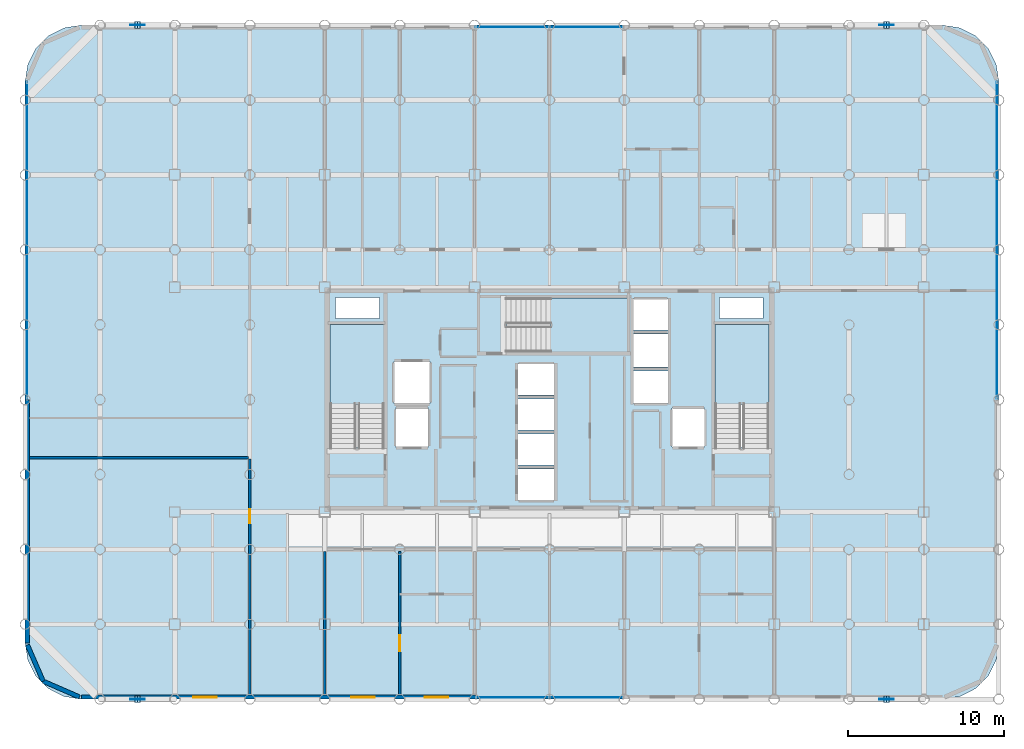
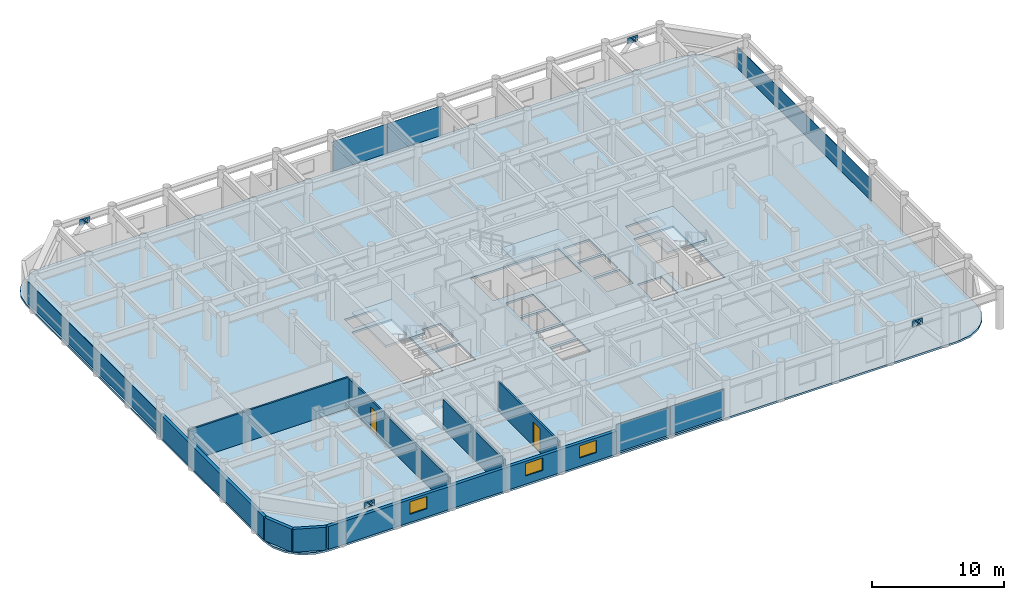
# One storey, part 15 of 21: 18 plates, 8 walls, 4 slabs, 3 windows, 2 doors, 5 openings, 7 elements without a shape of their own.
"""IFC4 building model written with IfcOpenShell, lengths in metres."""

from ifc_helpers import new_model, si_unit, direction, frame, frame_2d, origin, origin_2d, place, context, subcontext, project, spatial, polyline, rectangle, outline, extrude, material, layer, layer_set, type_object, element, fill, aggregate, save


model = new_model("IFC4")

# Units and contexts
model_context = context("Model", 3, precision=1e-05, world=origin(), true_north=direction((0.0, 1.0)))
body_context = subcontext(model_context, "Body", "Model", "MODEL_VIEW")
ifc_project = project(units=[si_unit("LENGTHUNIT", "METRE"), si_unit("AREAUNIT", "SQUARE_METRE"), si_unit("VOLUMEUNIT", "CUBIC_METRE"), si_unit("PLANEANGLEUNIT", "RADIAN"), si_unit("MASSUNIT", "GRAM", prefix="KILO")], contexts=[model_context])

# Site, building, storey
site_placement = place(None, origin())
site = spatial("IfcSite", under=ifc_project, at=site_placement, CompositionType="ELEMENT")
building_placement = place(site_placement, origin())
building = spatial("IfcBuilding", under=site, at=building_placement, Name="Kallvorn Hotel Tower", CompositionType="ELEMENT")
storey_placement = place(building_placement, frame((0.0, 0.0, 139.60009765625)))
storey = spatial("IfcBuildingStorey", under=building, at=storey_placement, Name="L34", CompositionType="ELEMENT", Elevation=139.60009765625)

# Curtain wall, plates
ifc_material_1 = material(Name="Thermally broken black-anodised aluminium AA 6063-T6", Category="aluminium")
ifc_layer_1 = layer(ifc_material_1, 0.2099609375)
ifc_layer_set_1 = layer_set([ifc_layer_1], Name="CW_SYS_4_HOTEL_MID")
curtain_wall_type = type_object("IfcCurtainWallType", Name="CW_SYS_4_HOTEL_MID", PredefinedType="USERDEFINED", material=ifc_layer_set_1)
curtain_wall_1_placement = place(storey_placement, origin())
curtain_wall_1 = element("IfcCurtainWall", 1, at=curtain_wall_1_placement, inside=storey, type_object=curtain_wall_type, Name="L34 Dark-Glass Curtain Wall CW-L34-SC", ObjectType="UNITISED CURTAIN WALL", PredefinedType="USERDEFINED")
ifc_material_2 = material(Name="Double-glazed low-e solar-control dark glass", Category="glass")
ifc_layer_2 = layer(ifc_material_2, 0.037841796875)
ifc_layer_set_2 = layer_set([ifc_layer_2], Name="CW_SYS_4_HOTEL_MID_PANEL")
plate_type_1 = type_object("IfcPlateType", Name="CW_SYS_4_HOTEL_MID_PANEL", PredefinedType="CURTAIN_PANEL", material=ifc_layer_set_2)
plate_1_placement = place(storey_placement, frame((-2.375, -19.080078125, 0.059814453125), z_axis=(0.0, 0.0, 1.0), x_axis=(1.0, 0.0, 0.0)))
plate_1 = element("IfcPlate", 2, at=plate_1_placement, type_object=plate_type_1, Name="CW-L34-SC Vision Glass Panel 00", PredefinedType="CURTAIN_PANEL", context=body_context, shape_type="SweptSolid", body=[
    extrude(rectangle(XDim=4.68994140625, YDim=0.037841796875, at=origin_2d()), origin(), (0.0, 0.0, 1.0), 2.60009765625),
])
plate_2_placement = place(storey_placement, frame((2.375, -19.080078125, 0.059814453125), z_axis=(0.0, 0.0, 1.0), x_axis=(1.0, 0.0, 0.0)))
plate_2 = element("IfcPlate", 3, at=plate_2_placement, type_object=plate_type_1, Name="CW-L34-SC Vision Glass Panel 01", PredefinedType="CURTAIN_PANEL", context=body_context, shape_type="SweptSolid", body=[
    extrude(rectangle(XDim=4.68994140625, YDim=0.037841796875, at=origin_2d()), origin(), (0.0, 0.0, 1.0), 2.60009765625),
])
aggregate(curtain_wall_1, [plate_1, plate_2])

curtain_wall_2_placement = place(storey_placement, origin())
curtain_wall_2 = element("IfcCurtainWall", 4, at=curtain_wall_2_placement, inside=storey, type_object=curtain_wall_type, Name="L34 Dark-Glass Curtain Wall CW-L34-NC", ObjectType="UNITISED CURTAIN WALL", PredefinedType="USERDEFINED")
plate_3_placement = place(storey_placement, frame((-2.375, 23.8798828125, 0.059814453125), z_axis=(0.0, 0.0, 1.0), x_axis=(1.0, 0.0, 0.0)))
plate_3 = element("IfcPlate", 5, at=plate_3_placement, type_object=plate_type_1, Name="CW-L34-NC Vision Glass Panel 00", PredefinedType="CURTAIN_PANEL", context=body_context, shape_type="SweptSolid", body=[
    extrude(rectangle(XDim=4.68994140625, YDim=0.037841796875, at=origin_2d()), origin(), (0.0, 0.0, 1.0), 2.75),
])
plate_4_placement = place(storey_placement, frame((2.375, 23.8798828125, 0.059814453125), z_axis=(0.0, 0.0, 1.0), x_axis=(1.0, 0.0, 0.0)))
plate_4 = element("IfcPlate", 6, at=plate_4_placement, type_object=plate_type_1, Name="CW-L34-NC Vision Glass Panel 01", PredefinedType="CURTAIN_PANEL", context=body_context, shape_type="SweptSolid", body=[
    extrude(rectangle(XDim=4.68994140625, YDim=0.037841796875, at=origin_2d()), origin(), (0.0, 0.0, 1.0), 2.75),
])
aggregate(curtain_wall_2, [plate_3, plate_4])

# Curtain wall, plate
curtain_wall_3_placement = place(storey_placement, origin())
curtain_wall_3 = element("IfcCurtainWall", 7, at=curtain_wall_3_placement, inside=storey, type_object=curtain_wall_type, Name="L34 Dark-Glass Curtain Wall CW-L34-WN", ObjectType="UNITISED CURTAIN WALL", PredefinedType="USERDEFINED")
plate_5_placement = place(storey_placement, frame((-33.47998046875, 10.2099609375, 0.059814453125), z_axis=(0.0, 0.0, 1.0), x_axis=(0.0, 1.0, 0.0)))
plate_5 = element("IfcPlate", 8, at=plate_5_placement, type_object=plate_type_1, Name="CW-L34-WN Vision Glass Panel 00", PredefinedType="CURTAIN_PANEL", context=body_context, shape_type="SweptSolid", body=[
    extrude(rectangle(XDim=20.320068359375, YDim=0.037841796875, at=origin_2d()), origin(), (0.0, 0.0, 1.0), 2.0),
])
aggregate(curtain_wall_3, [plate_5])

curtain_wall_4_placement = place(storey_placement, origin())
curtain_wall_4 = element("IfcCurtainWall", 9, at=curtain_wall_4_placement, inside=storey, type_object=curtain_wall_type, Name="L34 Dark-Glass Curtain Wall CW-L34-EN", ObjectType="UNITISED CURTAIN WALL", PredefinedType="USERDEFINED")
plate_6_placement = place(storey_placement, frame((28.679931640625, 10.2099609375, 0.059814453125), z_axis=(0.0, 0.0, 1.0), x_axis=(0.0, 1.0, 0.0)))
plate_6 = element("IfcPlate", 10, at=plate_6_placement, type_object=plate_type_1, Name="CW-L34-EN Vision Glass Panel 00", PredefinedType="CURTAIN_PANEL", context=body_context, shape_type="SweptSolid", body=[
    extrude(rectangle(XDim=20.320068359375, YDim=0.037841796875, at=origin_2d()), origin(), (0.0, 0.0, 1.0), 2.0),
])
aggregate(curtain_wall_4, [plate_6])

# Plates
ifc_material_3 = material(Name="Structural steel S355JR", Category="steel")
ifc_layer_3 = layer(ifc_material_3, 0.030029296875)
ifc_layer_set_3 = layer_set([ifc_layer_3], Name="PLT_CAP_30")
plate_type_2 = type_object("IfcPlateType", Name="PLT_CAP_30", PredefinedType="SHEET", material=ifc_layer_set_3)
plate_7_placement = place(storey_placement, frame((-26.227294921875, -19.417724609375, 2.876708984375), z_axis=(0.646720691081, 0.0, 0.762726915565), x_axis=(0.0, 1.0, 0.0)))
element("IfcPlate", 11, at=plate_7_placement, inside=storey, type_object=plate_type_2, Name="EXO-L34-S1A End Cap Plate B", PredefinedType="SHEET", context=body_context, shape_type="SweptSolid", body=[
    extrude(outline(polyline([(0.0, 0.0), (0.435546875, 0.0), (0.435546875, 0.4356413597636253), (0.0, 0.4356413597636253), (0.0, 0.0)])), origin(), (0.0, 0.0, -1.0), 0.030029296875),
])
plate_8_placement = place(storey_placement, frame((-26.572509765625, -18.982177734375, 2.876708984375), z_axis=(-0.646997204148, 0.0, 0.762492372306), x_axis=(0.0, -1.0, 0.0)))
element("IfcPlate", 12, at=plate_8_placement, inside=storey, type_object=plate_type_2, Name="EXO-L34-S1B End Cap Plate B", PredefinedType="SHEET", context=body_context, shape_type="SweptSolid", body=[
    extrude(outline(polyline([(0.0, 0.0), (0.435546875, 0.0), (0.435546875, 0.43545517576240456), (0.0, 0.43545517576240456), (0.0, 0.0)])), origin(), (0.0, 0.0, -1.0), 0.030029296875),
])
plate_9_placement = place(storey_placement, frame((21.772705078125, -19.417724609375, 2.876708984375), z_axis=(0.646720691081, 0.0, 0.762726915565), x_axis=(0.0, 1.0, 0.0)))
element("IfcPlate", 13, at=plate_9_placement, inside=storey, type_object=plate_type_2, Name="EXO-L34-S2A End Cap Plate B", PredefinedType="SHEET", context=body_context, shape_type="SweptSolid", body=[
    extrude(outline(polyline([(0.0, 0.0), (0.435546875, 0.0), (0.435546875, 0.4356413597636253), (0.0, 0.4356413597636253), (0.0, 0.0)])), origin(), (0.0, 0.0, -1.0), 0.030029296875),
])
plate_10_placement = place(storey_placement, frame((21.427490234375, -18.982177734375, 2.876708984375), z_axis=(-0.646997204148, 0.0, 0.762492372306), x_axis=(0.0, -1.0, 0.0)))
element("IfcPlate", 14, at=plate_10_placement, inside=storey, type_object=plate_type_2, Name="EXO-L34-S2B End Cap Plate B", PredefinedType="SHEET", context=body_context, shape_type="SweptSolid", body=[
    extrude(outline(polyline([(0.0, 0.0), (0.435546875, 0.0), (0.435546875, 0.43545517576240456), (0.0, 0.43545517576240456), (0.0, 0.0)])), origin(), (0.0, 0.0, -1.0), 0.030029296875),
])
plate_11_placement = place(storey_placement, frame((-26.227294921875, 23.7822265625, 2.876708984375), z_axis=(0.646720691081, 0.0, 0.762726915565), x_axis=(0.0, 1.0, 0.0)))
element("IfcPlate", 15, at=plate_11_placement, inside=storey, type_object=plate_type_2, Name="EXO-L34-N1A End Cap Plate B", PredefinedType="SHEET", context=body_context, shape_type="SweptSolid", body=[
    extrude(outline(polyline([(0.0, 0.0), (0.435546875, 0.0), (0.435546875, 0.4356413597636253), (0.0, 0.4356413597636253), (0.0, 0.0)])), origin(), (0.0, 0.0, -1.0), 0.030029296875),
])
plate_12_placement = place(storey_placement, frame((-26.572509765625, 24.2177734375, 2.876708984375), z_axis=(-0.646997204148, 0.0, 0.762492372306), x_axis=(0.0, -1.0, 0.0)))
element("IfcPlate", 16, at=plate_12_placement, inside=storey, type_object=plate_type_2, Name="EXO-L34-N1B End Cap Plate B", PredefinedType="SHEET", context=body_context, shape_type="SweptSolid", body=[
    extrude(outline(polyline([(0.0, 0.0), (0.435546875, 0.0), (0.435546875, 0.43545517576240456), (0.0, 0.43545517576240456), (0.0, 0.0)])), origin(), (0.0, 0.0, -1.0), 0.030029296875),
])
plate_13_placement = place(storey_placement, frame((21.772705078125, 23.7822265625, 2.876708984375), z_axis=(0.646720691081, 0.0, 0.762726915565), x_axis=(0.0, 1.0, 0.0)))
element("IfcPlate", 17, at=plate_13_placement, inside=storey, type_object=plate_type_2, Name="EXO-L34-N2A End Cap Plate B", PredefinedType="SHEET", context=body_context, shape_type="SweptSolid", body=[
    extrude(outline(polyline([(0.0, 0.0), (0.435546875, 0.0), (0.435546875, 0.4356413597636253), (0.0, 0.4356413597636253), (0.0, 0.0)])), origin(), (0.0, 0.0, -1.0), 0.030029296875),
])
plate_14_placement = place(storey_placement, frame((21.427490234375, 24.2177734375, 2.876708984375), z_axis=(-0.646997204148, 0.0, 0.762492372306), x_axis=(0.0, -1.0, 0.0)))
element("IfcPlate", 18, at=plate_14_placement, inside=storey, type_object=plate_type_2, Name="EXO-L34-N2B End Cap Plate B", PredefinedType="SHEET", context=body_context, shape_type="SweptSolid", body=[
    extrude(outline(polyline([(0.0, 0.0), (0.435546875, 0.0), (0.435546875, 0.43545517576240456), (0.0, 0.43545517576240456), (0.0, 0.0)])), origin(), (0.0, 0.0, -1.0), 0.030029296875),
])
ifc_material_4 = material(Name="Structural steel S355JR", Category="steel")
ifc_layer_4 = layer(ifc_material_4, 0.044921875)
ifc_layer_set_4 = layer_set([ifc_layer_4], Name="PLT_GUSSET_45")
plate_type_3 = type_object("IfcPlateType", Name="PLT_GUSSET_45", PredefinedType="USERDEFINED", material=ifc_layer_set_4)
for number, where, z_axis, x_axis, name in (
    (19, (-26.39990234375, -19.199951171875, 2.68994140625), (0.0, 0.0, 1.0), (1.0, 0.0, 0.0), "L34 Exoskeleton Node Gusset S1"),
    (20, (21.60009765625, -19.199951171875, 2.68994140625), (0.0, 0.0, 1.0), (1.0, 0.0, 0.0), "L34 Exoskeleton Node Gusset S2"),
    (21, (-26.39990234375, 24.0, 2.68994140625), (0.0, 0.0, 1.0), (1.0, 0.0, 0.0), "L34 Exoskeleton Node Gusset N1"),
    (22, (21.60009765625, 24.0, 2.68994140625), (0.0, 0.0, 1.0), (1.0, 0.0, 0.0), "L34 Exoskeleton Node Gusset N2"),
):
    element("IfcPlate", number, at=place(storey_placement, frame(where, z_axis=z_axis, x_axis=x_axis)), inside=storey, type_object=plate_type_3, Name=name, ObjectType="GUSSET PLATE", PredefinedType="USERDEFINED", context=body_context, shape_type="SweptSolid", body=[
        extrude(rectangle(XDim=0.89990234375, YDim=0.044921875, at=origin_2d()), origin(), (0.0, 0.0, 1.0), 0.56005859375),
    ])

# Stair, slab
ifc_material_5 = material(Name="Precast concrete C40/50", Category="concrete")
stair_type = type_object("IfcStairType", Name="STR_CORE_DOGLEG", PredefinedType="HALF_TURN_STAIR", material=ifc_material_5)
stair_1_placement = place(storey_placement, origin())
stair_1 = element("IfcStair", 23, at=stair_1_placement, inside=storey, type_object=stair_type, Name="L34 Exit stair ST1", PredefinedType="HALF_TURN_STAIR")
ifc_material_6 = material(Name="Precast concrete C40/50", Category="concrete")
ifc_layer_5 = layer(ifc_material_6, 0.179931640625)
ifc_layer_set_5 = layer_set([ifc_layer_5], Name="SLB_LANDING_180")
slab_type_1 = type_object("IfcSlabType", Name="SLB_LANDING_180", PredefinedType="LANDING", material=ifc_layer_set_5)
slab_1_placement = place(storey_placement, frame((0.0, 0.0, 1.64990234375)))
slab_1 = element("IfcSlab", 24, at=slab_1_placement, type_object=slab_type_1, Name="ST1 landing 1", PredefinedType="LANDING", context=body_context, shape_type="SweptSolid", body=[
    extrude(outline(polyline([(-10.60009765625, -0.31005859375), (-10.60009765625, 4.800048828125), (-14.06005859375, 4.800048828125), (-14.06005859375, -0.31005859375), (-10.60009765625, -0.31005859375)])), origin(), (0.0, 0.0, 1.0), 0.199951171875),
])
aggregate(stair_1, [slab_1])

stair_2_placement = place(storey_placement, origin())
stair_2 = element("IfcStair", 25, at=stair_2_placement, inside=storey, type_object=stair_type, Name="L34 Exit stair ST2", PredefinedType="HALF_TURN_STAIR")
slab_2_placement = place(storey_placement, frame((0.0, 0.0, 1.64990234375)))
slab_2 = element("IfcSlab", 26, at=slab_2_placement, type_object=slab_type_1, Name="ST2 landing 1", PredefinedType="LANDING", context=body_context, shape_type="SweptSolid", body=[
    extrude(outline(polyline([(14.06005859375, -0.31005859375), (14.06005859375, 4.800048828125), (10.60009765625, 4.800048828125), (10.60009765625, -0.31005859375), (14.06005859375, -0.31005859375)])), origin(), (0.0, 0.0, 1.0), 0.199951171875),
])
aggregate(stair_2, [slab_2])

stair_3_placement = place(storey_placement, origin())
stair_3 = element("IfcStair", 27, at=stair_3_placement, inside=storey, type_object=stair_type, Name="L34 Exit stair ST3", PredefinedType="HALF_TURN_STAIR")
slab_3_placement = place(storey_placement, frame((0.0, 0.0, 1.64990234375)))
slab_3 = element("IfcSlab", 28, at=slab_3_placement, type_object=slab_type_1, Name="ST3 landing 1", PredefinedType="LANDING", context=body_context, shape_type="SweptSolid", body=[
    extrude(outline(polyline([(0.0400390625, 3.050048828125), (5.050048828125, 3.050048828125), (5.050048828125, 6.510009765625), (0.0400390625, 6.510009765625), (0.0400390625, 3.050048828125)])), origin(), (0.0, 0.0, 1.0), 0.199951171875),
])
aggregate(stair_3, [slab_3])

# Slab
ifc_material_7 = material(Name="Concrete C40/50", Category="concrete")
ifc_layer_6 = layer(ifc_material_7, 0.179931640625)
ifc_layer_set_6 = layer_set([ifc_layer_6], Name="SLB_TOWER_180")
slab_type_2 = type_object("IfcSlabType", Name="SLB_TOWER_180", PredefinedType="FLOOR", material=ifc_layer_set_6)
slab_4_placement = place(storey_placement, frame((0.0, 0.0, -0.18017578125)))
element("IfcSlab", 29, at=slab_4_placement, inside=storey, type_object=slab_type_2, Name="L34 Structural Floor Slab", PredefinedType="FLOOR", context=body_context, shape_type="SweptSolid", body=[
    extrude(outline(polyline([(25.199951171875, -19.199951171875), (26.3125, -19.023681640625), (27.31591796875, -18.512451171875), (28.112548828125, -17.716064453125), (28.623779296875, -16.71240234375), (28.800048828125, -15.60009765625), (28.800048828125, 20.39990234375), (28.623779296875, 21.512451171875), (28.112548828125, 22.51611328125), (27.31591796875, 23.3125), (26.3125, 23.82373046875), (25.199951171875, 24.0), (-30.0, 24.0), (-31.112548828125, 23.82373046875), (-32.115966796875, 23.3125), (-32.91259765625, 22.51611328125), (-33.423828125, 21.512451171875), (-33.60009765625, 20.39990234375), (-33.60009765625, -15.60009765625), (-33.423828125, -16.71240234375), (-32.91259765625, -17.716064453125), (-32.115966796875, -18.512451171875), (-31.112548828125, -19.023681640625), (-30.0, -19.199951171875), (25.199951171875, -19.199951171875)]), holes=[polyline([(-10.60009765625, -3.070068359375), (-10.60009765625, 4.800048828125), (-14.06005859375, 4.800048828125), (-14.06005859375, -3.070068359375), (-10.60009765625, -3.070068359375)]), polyline([(14.06005859375, -3.070068359375), (14.06005859375, 4.800048828125), (10.60009765625, 4.800048828125), (10.60009765625, -3.070068359375), (14.06005859375, -3.070068359375)]), polyline([(-2.719970703125, 3.050048828125), (5.050048828125, 3.050048828125), (5.050048828125, 6.510009765625), (-2.719970703125, 6.510009765625), (-2.719970703125, 3.050048828125)]), polyline([(-2.050048828125, -6.449951171875), (0.35009765625, -6.449951171875), (0.35009765625, -4.449951171875), (-2.050048828125, -4.449951171875), (-2.050048828125, -6.449951171875)]), polyline([(-2.050048828125, -4.199951171875), (0.35009765625, -4.199951171875), (0.35009765625, -2.199951171875), (-2.050048828125, -2.199951171875), (-2.050048828125, -4.199951171875)]), polyline([(-2.050048828125, -1.949951171875), (0.35009765625, -1.949951171875), (0.35009765625, 0.050048828125), (-2.050048828125, 0.050048828125), (-2.050048828125, -1.949951171875)]), polyline([(-2.050048828125, 0.300048828125), (0.35009765625, 0.300048828125), (0.35009765625, 2.300048828125), (-2.050048828125, 2.300048828125), (-2.050048828125, 0.300048828125)]), polyline([(5.35009765625, -0.25), (7.64990234375, -0.25), (7.64990234375, 1.85009765625), (5.35009765625, 1.85009765625), (5.35009765625, -0.25)]), polyline([(5.35009765625, 2.10009765625), (7.64990234375, 2.10009765625), (7.64990234375, 4.199951171875), (5.35009765625, 4.199951171875), (5.35009765625, 2.10009765625)]), polyline([(5.35009765625, 4.449951171875), (7.64990234375, 4.449951171875), (7.64990234375, 6.449951171875), (5.35009765625, 6.449951171875), (5.35009765625, 4.449951171875)]), polyline([(-9.85009765625, -3.050048828125), (-7.75, -3.050048828125), (-7.75, -0.550048828125), (-9.85009765625, -0.550048828125), (-9.85009765625, -3.050048828125)]), polyline([(7.85009765625, -3.050048828125), (9.949951171875, -3.050048828125), (9.949951171875, -0.550048828125), (7.85009765625, -0.550048828125), (7.85009765625, -3.050048828125)]), polyline([(-9.949951171875, -0.25), (-7.64990234375, -0.25), (-7.64990234375, 2.449951171875), (-9.949951171875, 2.449951171875), (-9.949951171875, -0.25)]), polyline([(-13.699951171875, 5.199951171875), (-10.89990234375, 5.199951171875), (-10.89990234375, 6.550048828125), (-13.699951171875, 6.550048828125), (-13.699951171875, 5.199951171875)]), polyline([(10.89990234375, 5.199951171875), (13.699951171875, 5.199951171875), (13.699951171875, 6.550048828125), (10.89990234375, 6.550048828125), (10.89990234375, 5.199951171875)])]), origin(), (0.0, 0.0, 1.0), 0.18017578125),
])

# Wall
ifc_material_8 = material(Name="Fire-rated double-layer acoustic gypsum drywall EI 60")
ifc_layer_7 = layer(ifc_material_8, 0.159912109375)
ifc_layer_set_7 = layer_set([ifc_layer_7], Name="WL_DEMISE_160")
wall_type_1 = type_object("IfcWallType", Name="WL_DEMISE_160", PredefinedType="PARTITIONING", material=ifc_layer_set_7)
wall_1_placement = place(storey_placement, frame((-14.39990234375, -18.909912109375, 0.0), z_axis=(0.0, 0.0, 1.0), x_axis=(0.0, 1.0, 0.0)))
element("IfcWall", 30, at=wall_1_placement, inside=storey, type_object=wall_type_1, Name="L34 Suite 3401 Executive Living Salon Partition", PredefinedType="PARTITIONING", context=body_context, shape_type="SweptSolid", body=[
    extrude(rectangle(XDim=9.18994140625, YDim=0.159912109375, at=frame_2d((4.594970703125, 0.0))), origin(), (0.0, 0.0, 1.0), 2.719970703125),
])

# Wall, opening, door
wall_2_placement = place(storey_placement, frame((-9.60009765625, -18.909912109375, 0.0), z_axis=(0.0, 0.0, 1.0), x_axis=(0.0, 1.0, 0.0)))
wall_2 = element("IfcWall", 31, at=wall_2_placement, inside=storey, type_object=wall_type_1, Name="L34 Suite 3401 Executive Bedroom Partition", PredefinedType="PARTITIONING", context=body_context, shape_type="SweptSolid", body=[
    extrude(rectangle(XDim=9.18994140625, YDim=0.159912109375, at=frame_2d((4.594970703125, 0.0))), origin(), (0.0, 0.0, 1.0), 2.719970703125),
])
opening_1_placement = place(wall_2_placement, frame((2.77490234375, 0.0, 0.0)))
opening_1 = element("IfcOpeningElement", 32, at=opening_1_placement, cuts=wall_2, Name="Opening GD2", PredefinedType="OPENING", context=body_context, shape_type="SweptSolid", body=[
    extrude(rectangle(XDim=1.050048828125, YDim=2.199951171875, at=frame_2d((0.52490234375, 1.10009765625))), frame((0.0, 0.094970703125, 0.0), z_axis=(0.0, -1.0, 0.0), x_axis=(1.0, 0.0, 0.0)), (0.0, 0.0, 1.0), 0.18994140625),
])
ifc_material_9 = material(Name="Solid-core walnut veneer fire-rated timber door leaf", Category="wood")
door_type_1 = type_object("IfcDoorType", Name="DR_SUITE_1050x2200", OperationType="NOTDEFINED", PredefinedType="DOOR", material=ifc_material_9)
door_1_placement = place(opening_1_placement, origin())
door_1 = element("IfcDoor", 33, at=door_1_placement, inside=storey, type_object=door_type_1, Name="L34 Suite 3401 Executive Bedroom Door", OperationType="SINGLE_SWING_RIGHT", OverallHeight=2.199951171875, OverallWidth=1.050048828125, PredefinedType="DOOR", context=body_context, shape_type="SweptSolid", body=[
    extrude(rectangle(XDim=1.050048828125, YDim=2.199951171875, at=frame_2d((0.52490234375, 1.10009765625))), frame((0.0, 0.02490234375, 0.0), z_axis=(0.0, -1.0, 0.0), x_axis=(1.0, 0.0, 0.0)), (0.0, 0.0, 1.0), 0.050048828125),
])
fill(opening_1, door_1)

# Walls
ifc_material_10 = material(Name="Precast basalt-clad insulated concrete wall C40/50", Category="masonry")
ifc_layer_8 = layer(ifc_material_10, 0.280029296875)
ifc_layer_set_8 = layer_set([ifc_layer_8], Name="WL_EXT_LOGGIA_280")
wall_type_2 = type_object("IfcWallType", Name="WL_EXT_LOGGIA_280", PredefinedType="SOLIDWALL", material=ifc_layer_set_8)
wall_3_placement = place(storey_placement, frame((-33.4580078125, -15.720703125, 0.0), z_axis=(0.0, 0.0, 1.0), x_axis=(0.398792985289, -0.917040977756, 0.0)))
element("IfcWall", 34, at=wall_3_placement, inside=storey, type_object=wall_type_2, Name="L34 Rounded Corner Exterior Wall SW1", PredefinedType="SOLIDWALL", context=body_context, shape_type="SweptSolid", body=[
    extrude(rectangle(XDim=2.536376953125, YDim=0.280029296875, at=frame_2d((1.26806640625, 0.0))), origin(), (0.0, 0.0, 1.0), 2.119873046875),
])
wall_4_placement = place(storey_placement, frame((-32.446533203125, -18.046630859375, 0.0), z_axis=(0.0, 0.0, 1.0), x_axis=(0.917060872934, -0.398747232384, 0.0)))
element("IfcWall", 35, at=wall_4_placement, inside=storey, type_object=wall_type_2, Name="L34 Rounded Corner Exterior Wall SW2", PredefinedType="SOLIDWALL", context=body_context, shape_type="SweptSolid", body=[
    extrude(rectangle(XDim=2.5361328125, YDim=0.280029296875, at=frame_2d((1.26806640625, 0.0))), origin(), (0.0, 0.0, 1.0), 2.119873046875),
])

# Wall, openings, windows
wall_5_placement = place(storey_placement, frame((-30.0, -19.06005859375, 0.0), z_axis=(0.0, 0.0, 1.0), x_axis=(1.0, 0.0, 0.0)))
wall_5 = element("IfcWall", 36, at=wall_5_placement, inside=storey, type_object=wall_type_2, Name="L34 Exterior Envelope Wall EW-L34-SW", PredefinedType="SOLIDWALL", context=body_context, shape_type="SweptSolid", body=[
    extrude(rectangle(XDim=25.25, YDim=0.280029296875, at=frame_2d((12.625, 0.0))), origin(), (0.0, 0.0, 1.0), 2.119873046875),
])
opening_2_placement = place(wall_5_placement, frame((7.1630859375, 0.0, 0.75)))
opening_2 = element("IfcOpeningElement", 37, at=opening_2_placement, cuts=wall_5, Name="Opening W05A", PredefinedType="OPENING", context=body_context, shape_type="SweptSolid", body=[
    extrude(rectangle(XDim=1.5, YDim=1.14990234375, at=frame_2d((0.75, 0.574951171875))), frame((0.0, 0.155029296875, 0.0), z_axis=(0.0, -1.0, 0.0), x_axis=(1.0, 0.0, 0.0)), (0.0, 0.0, 1.0), 0.31005859375),
])
opening_3_placement = place(wall_5_placement, frame((17.2900390625, 0.0, 0.75)))
opening_3 = element("IfcOpeningElement", 38, at=opening_3_placement, cuts=wall_5, Name="Opening W05A", PredefinedType="OPENING", context=body_context, shape_type="SweptSolid", body=[
    extrude(rectangle(XDim=1.5, YDim=1.14990234375, at=frame_2d((0.75, 0.574951171875))), frame((0.0, 0.155029296875, 0.0), z_axis=(0.0, -1.0, 0.0), x_axis=(1.0, 0.0, 0.0)), (0.0, 0.0, 1.0), 0.31005859375),
])
opening_4_placement = place(wall_5_placement, frame((22.010009765625, 0.0, 0.75)))
opening_4 = element("IfcOpeningElement", 39, at=opening_4_placement, cuts=wall_5, Name="Opening W05A", PredefinedType="OPENING", context=body_context, shape_type="SweptSolid", body=[
    extrude(rectangle(XDim=1.5, YDim=1.14990234375, at=frame_2d((0.75, 0.574951171875))), frame((0.0, 0.155029296875, 0.0), z_axis=(0.0, -1.0, 0.0), x_axis=(1.0, 0.0, 0.0)), (0.0, 0.0, 1.0), 0.31005859375),
])
ifc_material_11 = material(Name="Double-glazed low-e solar-control dark glass", Category="glass")
window_type = type_object("IfcWindowType", Name="WN_HTL_1500x1150", PartitioningType="SINGLE_PANEL", PredefinedType="WINDOW", material=ifc_material_11)
window_1_placement = place(opening_2_placement, origin())
window_1 = element("IfcWindow", 40, at=window_1_placement, inside=storey, type_object=window_type, Name="L34 Guestroom Exterior Window 01", OverallHeight=1.14990234375, OverallWidth=1.5, PartitioningType="SINGLE_PANEL", PredefinedType="WINDOW", context=body_context, shape_type="SweptSolid", body=[
    extrude(rectangle(XDim=1.5, YDim=1.14990234375, at=frame_2d((0.75, 0.574951171875))), frame((0.0, 0.030029296875, 0.0), z_axis=(0.0, -1.0, 0.0), x_axis=(1.0, 0.0, 0.0)), (0.0, 0.0, 1.0), 0.06005859375),
])
fill(opening_2, window_1)
window_2_placement = place(opening_3_placement, origin())
window_2 = element("IfcWindow", 41, at=window_2_placement, inside=storey, type_object=window_type, Name="L34 Guestroom Exterior Window 05", OverallHeight=1.14990234375, OverallWidth=1.5, PartitioningType="SINGLE_PANEL", PredefinedType="WINDOW", context=body_context, shape_type="SweptSolid", body=[
    extrude(rectangle(XDim=1.5, YDim=1.14990234375, at=frame_2d((0.75, 0.574951171875))), frame((0.0, 0.030029296875, 0.0), z_axis=(0.0, -1.0, 0.0), x_axis=(1.0, 0.0, 0.0)), (0.0, 0.0, 1.0), 0.06005859375),
])
fill(opening_3, window_2)
window_3_placement = place(opening_4_placement, origin())
window_3 = element("IfcWindow", 42, at=window_3_placement, inside=storey, type_object=window_type, Name="L34 Guestroom Exterior Window 06", OverallHeight=1.14990234375, OverallWidth=1.5, PartitioningType="SINGLE_PANEL", PredefinedType="WINDOW", context=body_context, shape_type="SweptSolid", body=[
    extrude(rectangle(XDim=1.5, YDim=1.14990234375, at=frame_2d((0.75, 0.574951171875))), frame((0.0, 0.030029296875, 0.0), z_axis=(0.0, -1.0, 0.0), x_axis=(1.0, 0.0, 0.0)), (0.0, 0.0, 1.0), 0.06005859375),
])
fill(opening_4, window_3)

# Walls
wall_6_placement = place(storey_placement, frame((-33.4599609375, -15.60009765625, 0.0), z_axis=(0.0, 0.0, 1.0), x_axis=(0.0, 1.0, 0.0)))
element("IfcWall", 43, at=wall_6_placement, inside=storey, type_object=wall_type_2, Name="L34 Exterior Envelope Wall EW-L34-WS", PredefinedType="SOLIDWALL", context=body_context, shape_type="SweptSolid", body=[
    extrude(rectangle(XDim=15.580078125, YDim=0.280029296875, at=frame_2d((7.7900390625, 0.0))), origin(), (0.0, 0.0, 1.0), 2.119873046875),
])
ifc_material_12 = material(Name="Fire-rated double-layer acoustic gypsum drywall EI 60")
ifc_layer_9 = layer(ifc_material_12, 0.14990234375)
ifc_layer_set_9 = layer_set([ifc_layer_9], Name="WL_PART_150")
wall_type_3 = type_object("IfcWallType", Name="WL_PART_150", PredefinedType="PARTITIONING", material=ifc_layer_set_9)
wall_7_placement = place(storey_placement, frame((-33.31005859375, -3.719970703125, 0.0), z_axis=(0.0, 0.0, 1.0), x_axis=(1.0, 0.0, 0.0)))
element("IfcWall", 44, at=wall_7_placement, inside=storey, type_object=wall_type_3, Name="L34 L34 South-West Botanical Dining Salon Partition", PredefinedType="PARTITIONING", context=body_context, shape_type="SweptSolid", body=[
    extrude(rectangle(XDim=14.030029296875, YDim=0.14990234375, at=frame_2d((7.01513671875, 0.0))), origin(), (0.0, 0.0, 1.0), 2.869873046875),
])

# Wall, opening, door
wall_8_placement = place(storey_placement, frame((-19.199951171875, -18.909912109375, 0.0), z_axis=(0.0, 0.0, 1.0), x_axis=(0.0, 1.0, 0.0)))
wall_8 = element("IfcWall", 45, at=wall_8_placement, inside=storey, type_object=wall_type_3, Name="L34 L34 South-West Botanical Dining Salon Partition", PredefinedType="PARTITIONING", context=body_context, shape_type="SweptSolid", body=[
    extrude(rectangle(XDim=15.10498046875, YDim=0.14990234375, at=frame_2d((7.552490234375, 0.0))), origin(), (0.0, 0.0, 1.0), 2.719970703125),
])
opening_5_placement = place(wall_8_placement, frame((10.99267578125, 0.0, 0.0)))
opening_5 = element("IfcOpeningElement", 46, at=opening_5_placement, cuts=wall_8, Name="Opening SVD1", PredefinedType="OPENING", context=body_context, shape_type="SweptSolid", body=[
    extrude(rectangle(XDim=0.89990234375, YDim=2.10009765625, at=frame_2d((0.449951171875, 1.050048828125))), frame((0.0, 0.08984375, 0.0), z_axis=(0.0, -1.0, 0.0), x_axis=(1.0, 0.0, 0.0)), (0.0, 0.0, 1.0), 0.179931640625),
])
ifc_material_13 = material(Name="Galvanised painted steel fire-rated door assembly", Category="steel")
door_type_2 = type_object("IfcDoorType", Name="DR_SERV_900x2100", OperationType="NOTDEFINED", PredefinedType="DOOR", material=ifc_material_13)
door_2_placement = place(opening_5_placement, origin())
door_2 = element("IfcDoor", 47, at=door_2_placement, inside=storey, type_object=door_type_2, Name="L34 L34 South-West Botanical Dining Salon Door", OperationType="SINGLE_SWING_RIGHT", OverallHeight=2.10009765625, OverallWidth=0.89990234375, PredefinedType="DOOR", context=body_context, shape_type="SweptSolid", body=[
    extrude(rectangle(XDim=0.89990234375, YDim=2.10009765625, at=frame_2d((0.449951171875, 1.050048828125))), frame((0.0, 0.02490234375, 0.0), z_axis=(0.0, -1.0, 0.0), x_axis=(1.0, 0.0, 0.0)), (0.0, 0.0, 1.0), 0.050048828125),
])
fill(opening_5, door_2)

save(model, "model.ifc")
